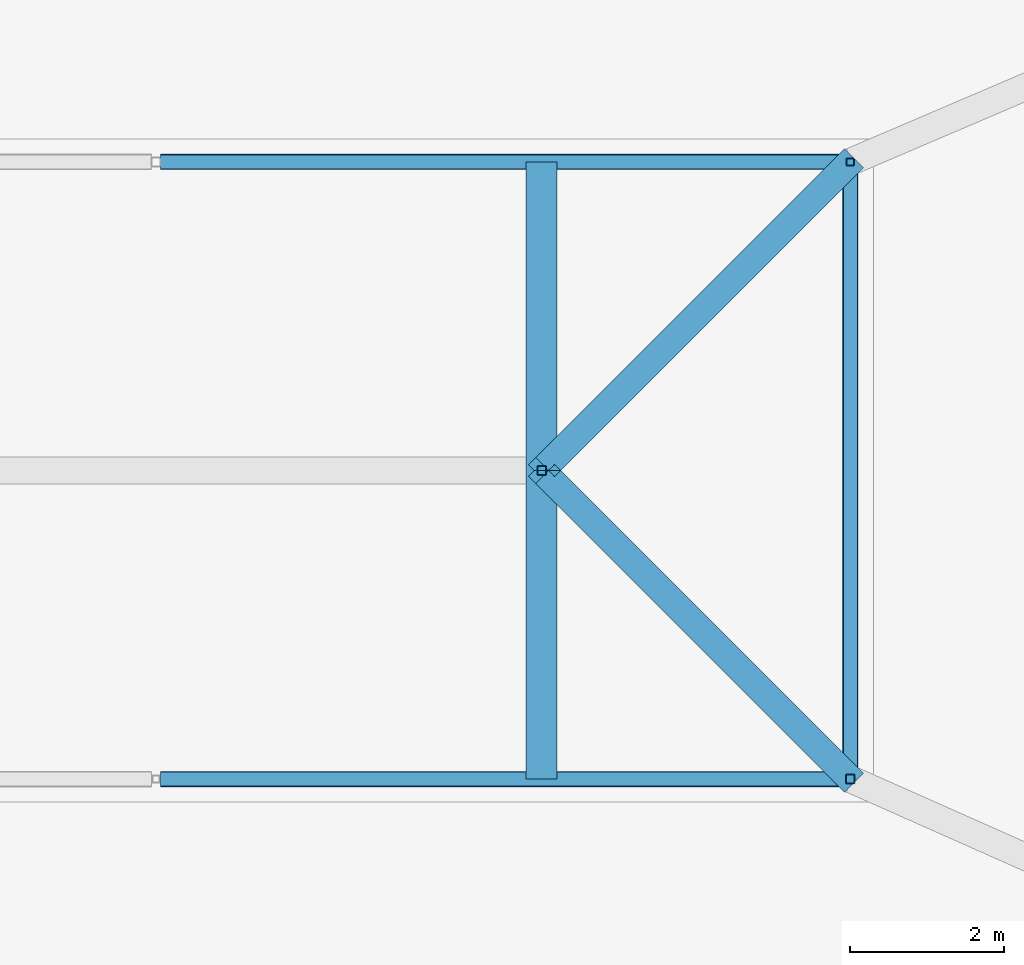
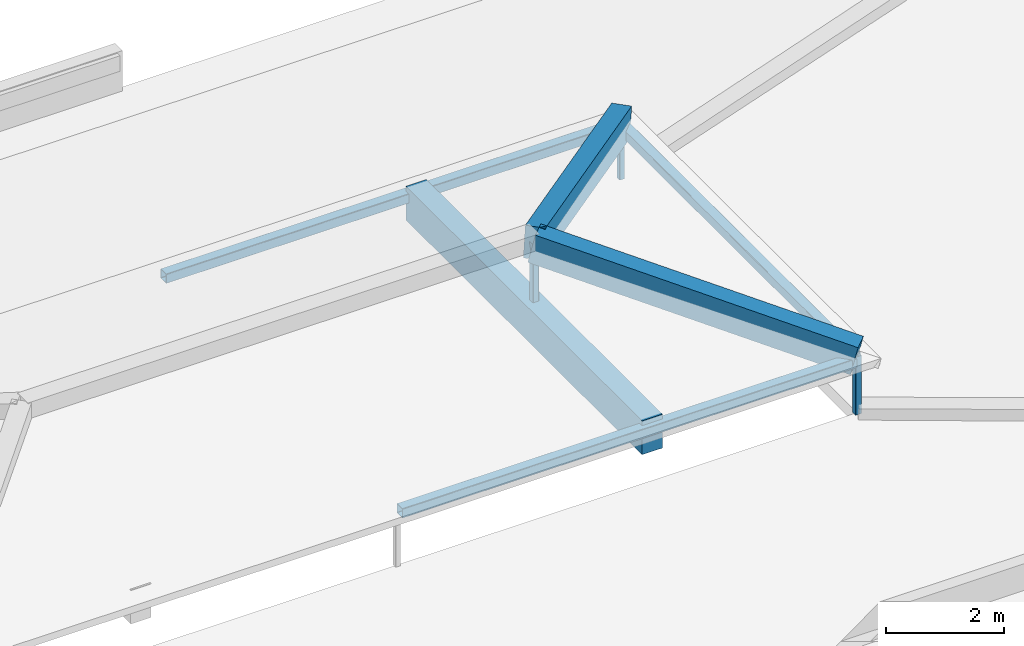
# One storey, part 13 of 56: 6 members, 3 beams.
"""IFC4 building model written with IfcOpenShell, lengths in metres."""

from ifc_helpers import new_model, si_unit, direction, frame, origin, origin_2d, place, context, subcontext, project, spatial, rectangle, hollow_rectangle, extrude, material, material_profile, profile_set, type_object, element, save


model = new_model("IFC4")

# Units and contexts
model_context = context("Model", 3, precision=1e-05, world=origin(), true_north=direction((0.0, 1.0)))
body_context = subcontext(model_context, "Body", "Model", "MODEL_VIEW")
ifc_project = project(units=[si_unit("LENGTHUNIT", "METRE"), si_unit("AREAUNIT", "SQUARE_METRE"), si_unit("VOLUMEUNIT", "CUBIC_METRE"), si_unit("PLANEANGLEUNIT", "RADIAN"), si_unit("MASSUNIT", "GRAM", prefix="KILO")], contexts=[model_context])

# Site, building, storey
site_placement = place(None, origin())
site = spatial("IfcSite", under=ifc_project, at=site_placement, CompositionType="ELEMENT")
building_placement = place(site_placement, origin())
building = spatial("IfcBuilding", under=site, at=building_placement, Name="Zacnel Wholesale Market", CompositionType="ELEMENT")
storey_placement = place(building_placement, frame((0.0, 0.0, 20.300048828125)))
storey = spatial("IfcBuildingStorey", under=building, at=storey_placement, Name="RF", CompositionType="ELEMENT", Elevation=20.300048828125)

# Beams
ifc_material_1 = material(Name="Concrete C40/50", Category="concrete")
ifc_material_profile_1 = material_profile(ifc_material_1, rectangle(XDim=0.35009765625, YDim=0.60009765625, at=origin_2d()), Name="ARCH RIB 350x600")
ifc_profile_set_1 = profile_set([ifc_material_profile_1], Name="Concrete C40/50")
beam_type_1 = type_object("IfcBeamType", Name="BM-AR600", PredefinedType="USERDEFINED", material=ifc_profile_set_1)
for number, where, z_axis, x_axis, name in (
    (1, (117.0, 32.0, -3.8701171875), (-0.689141918443, 0.689141918443, 0.223979535871), (-0.707106781187, -0.707106781187, 0.0), "Hipped crown rib STR-ROOF-V2-LANT-2"),
    (2, (117.0, 40.0, -3.8701171875), (-0.689141918443, -0.689141918443, 0.223979535871), (0.707106781187, -0.707106781187, 0.0), "Hipped crown rib STR-ROOF-V2-LANT-3"),
):
    element("IfcBeam", number, at=place(storey_placement, frame(where, z_axis=z_axis, x_axis=x_axis)), inside=storey, type_object=beam_type_1, Name=name, ObjectType="ARCH RIB", PredefinedType="USERDEFINED", context=body_context, shape_type="SweptSolid", body=[
        extrude(rectangle(XDim=0.35009765625, YDim=0.60009765625, at=origin_2d()), origin(), (0.0, 0.0, 1.0), 5.80419921875),
    ])
ifc_material_2 = material(Name="Precast concrete C45/55", Category="concrete")
ifc_material_profile_2 = material_profile(ifc_material_2, rectangle(XDim=0.39990234375, YDim=0.699951171875, at=origin_2d()), Name="PG 400x700")
ifc_profile_set_2 = profile_set([ifc_material_profile_2], Name="Precast concrete C45/55")
beam_type_2 = type_object("IfcBeamType", Name="BM-PG700", PredefinedType="BEAM", material=ifc_profile_set_2)
beam_placement = place(storey_placement, frame((113.0, 32.0, -4.10009765625), z_axis=(0.0, 1.0, 0.0), x_axis=(-1.0, 0.0, 0.0)))
element("IfcBeam", 3, at=beam_placement, inside=storey, type_object=beam_type_2, Name="Hipped crown tie beam STR-ROOF-V2-LANT-2", PredefinedType="BEAM", context=body_context, shape_type="SweptSolid", body=[
    extrude(rectangle(XDim=0.39990234375, YDim=0.699951171875, at=origin_2d()), origin(), (0.0, 0.0, 1.0), 8.0),
])

# Members
ifc_material_3 = material(Name="Steel S355", Category="steel")
ifc_material_profile_3 = material_profile(ifc_material_3, hollow_rectangle(XDim=0.199951171875, YDim=0.199951171875, WallThickness=0.010009765625, InnerFilletRadius=0.010009765625, OuterFilletRadius=0.02001953125, at=origin_2d()), Name="HSS 200x200x10")
ifc_profile_set_3 = profile_set([ifc_material_profile_3], Name="Steel S355")
member_type_1 = type_object("IfcMemberType", Name="MEM-CHD-HSS200", PredefinedType="CHORD", material=ifc_profile_set_3)
for number, where, z_axis, x_axis, name in (
    (4, (108.06005859375, 32.0, -3.949951171875), (1.0, 0.0, 0.0), (0.0, 1.0, 0.0), "Auction lantern ring chord 02"),
    (5, (108.06005859375, 40.0, -3.949951171875), (1.0, 0.0, 0.0), (0.0, 1.0, 0.0), "Auction lantern ring chord 04"),
):
    element("IfcMember", number, at=place(storey_placement, frame(where, z_axis=z_axis, x_axis=x_axis)), inside=storey, type_object=member_type_1, Name=name, PredefinedType="CHORD", context=body_context, shape_type="SweptSolid", body=[
        extrude(hollow_rectangle(XDim=0.199951171875, YDim=0.199951171875, WallThickness=0.010009765625, InnerFilletRadius=0.010009765625, OuterFilletRadius=0.02001953125, at=origin_2d()), origin(), (0.0, 0.0, 1.0), 8.8798828125),
    ])
member_1_placement = place(storey_placement, frame((117.0, 32.06005859375, -3.949951171875), z_axis=(0.0, 1.0, 0.0), x_axis=(-1.0, 0.0, 0.0)))
element("IfcMember", 6, at=member_1_placement, inside=storey, type_object=member_type_1, Name="Auction lantern ring chord 06", PredefinedType="CHORD", context=body_context, shape_type="SweptSolid", body=[
    extrude(hollow_rectangle(XDim=0.199951171875, YDim=0.199951171875, WallThickness=0.010009765625, InnerFilletRadius=0.010009765625, OuterFilletRadius=0.02001953125, at=origin_2d()), origin(), (0.0, 0.0, 1.0), 7.8798828125),
])
ifc_material_4 = material(Name="Steel S355", Category="steel")
ifc_material_profile_4 = material_profile(ifc_material_4, hollow_rectangle(XDim=0.10009765625, YDim=0.10009765625, WallThickness=0.00634765625, InnerFilletRadius=0.006103515625, OuterFilletRadius=0.011962890625, at=origin_2d()), Name="HSS 100x100x6.3")
ifc_profile_set_4 = profile_set([ifc_material_profile_4], Name="Steel S355")
member_type_2 = type_object("IfcMemberType", Name="MEM-PST-HSS100", PredefinedType="POST", material=ifc_profile_set_4)
member_2_placement = place(storey_placement, frame((117.0, 40.0, -5.050048828125), z_axis=(0.0, 0.0, 1.0), x_axis=(1.0, 0.0, 0.0)))
element("IfcMember", 7, at=member_2_placement, inside=storey, type_object=member_type_2, Name="Auction lantern post 06", PredefinedType="POST", context=body_context, shape_type="SweptSolid", body=[
    extrude(hollow_rectangle(XDim=0.10009765625, YDim=0.10009765625, WallThickness=0.00634765625, InnerFilletRadius=0.006103515625, OuterFilletRadius=0.011962890625, at=origin_2d()), origin(), (0.0, 0.0, 1.0), 1.199951171875),
])
ifc_material_5 = material(Name="Steel S355", Category="steel")
ifc_material_profile_5 = material_profile(ifc_material_5, hollow_rectangle(XDim=0.1201171875, YDim=0.1201171875, WallThickness=0.00634765625, InnerFilletRadius=0.006103515625, OuterFilletRadius=0.011962890625, at=origin_2d()), Name="HSS 120x120x6.3")
ifc_profile_set_5 = profile_set([ifc_material_profile_5], Name="Steel S355")
member_type_3 = type_object("IfcMemberType", Name="MEM-PST-HSS120", PredefinedType="POST", material=ifc_profile_set_5)
member_3_placement = place(storey_placement, frame((117.0, 32.0, -5.050048828125), z_axis=(0.0, 0.0, 1.0), x_axis=(1.0, 0.0, 0.0)))
element("IfcMember", 8, at=member_3_placement, inside=storey, type_object=member_type_3, Name="Auction lantern post 03", PredefinedType="POST", context=body_context, shape_type="SweptSolid", body=[
    extrude(hollow_rectangle(XDim=0.1201171875, YDim=0.1201171875, WallThickness=0.00634765625, InnerFilletRadius=0.006103515625, OuterFilletRadius=0.011962890625, at=origin_2d()), origin(), (0.0, 0.0, 1.0), 1.199951171875),
])
member_4_placement = place(storey_placement, frame((113.0, 36.0, -4.199951171875), z_axis=(0.0, 0.0, 1.0), x_axis=(1.0, 0.0, 0.0)))
element("IfcMember", 9, at=member_4_placement, inside=storey, type_object=member_type_3, Name="Hipped crown king-post STR-ROOF-V2-LANT-2", PredefinedType="POST", context=body_context, shape_type="SweptSolid", body=[
    extrude(hollow_rectangle(XDim=0.1201171875, YDim=0.1201171875, WallThickness=0.00634765625, InnerFilletRadius=0.006103515625, OuterFilletRadius=0.011962890625, at=origin_2d()), origin(), (0.0, 0.0, 1.0), 1.64990234375),
])

save(model, "model.ifc")
